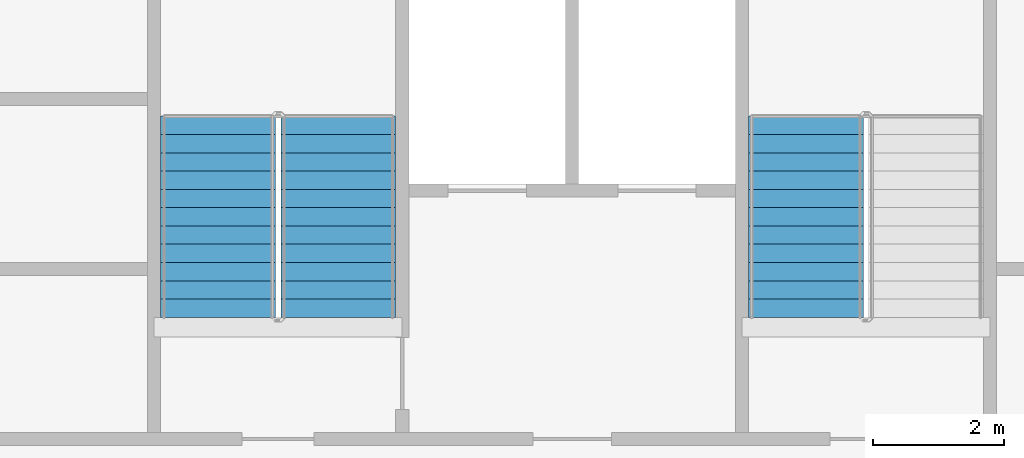
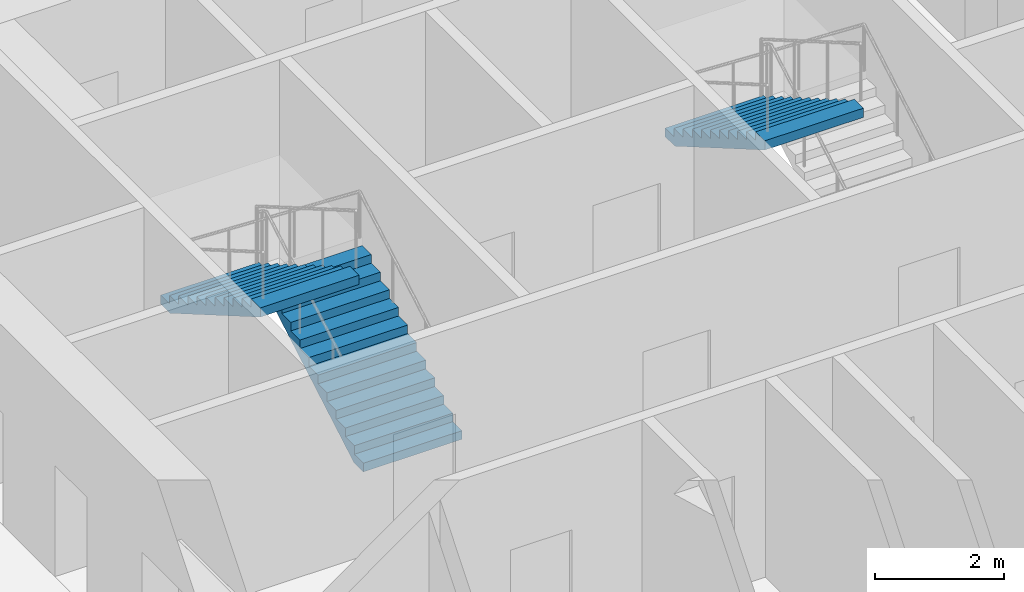
# One storey, part 9 of 15: 3 stair flights, 2 elements without a shape of their own.
"""IFC4 building model written with IfcOpenShell, lengths in metres."""

from ifc_helpers import new_model, si_unit, direction, frame, origin, place, context, subcontext, project, spatial, faceted_brep, material, type_object, element, aggregate, save


model = new_model("IFC4")

# Units and contexts
model_context = context("Model", 3, precision=1e-05, world=origin(), true_north=direction((0.0, 1.0)))
body_context = subcontext(model_context, "Body", "Model", "MODEL_VIEW")
ifc_project = project(units=[si_unit("LENGTHUNIT", "METRE"), si_unit("AREAUNIT", "SQUARE_METRE"), si_unit("VOLUMEUNIT", "CUBIC_METRE"), si_unit("PLANEANGLEUNIT", "RADIAN"), si_unit("MASSUNIT", "GRAM", prefix="KILO")], contexts=[model_context])

# Site, building, storey
site_placement = place(None, origin())
site = spatial("IfcSite", under=ifc_project, at=site_placement, CompositionType="ELEMENT")
building_placement = place(site_placement, origin())
building = spatial("IfcBuilding", under=site, at=building_placement, Name="Tarsis Ring Headquarters", CompositionType="ELEMENT")
storey_placement = place(building_placement, frame((0.0, 0.0, 151.5)))
storey = spatial("IfcBuildingStorey", under=building, at=storey_placement, Name="L34", CompositionType="ELEMENT", Elevation=151.5)

# Stair, stair flights
ifc_material_1 = material(Name="Core stair 1760")
stair_type = type_object("IfcStairType", Name="Core stair 1760", PredefinedType="HALF_TURN_STAIR", material=ifc_material_1)
stair_1_placement = place(storey_placement, origin())
stair_1 = element("IfcStair", 1, at=stair_1_placement, inside=storey, type_object=stair_type, Name="L34 Firefighting stair", PredefinedType="HALF_TURN_STAIR")
ifc_material_2 = material(Name="Concrete C40/50", Category="concrete")
stair_flight_type = type_object("IfcStairFlightType", Name="Core stair flight 1760", PredefinedType="STRAIGHT", material=ifc_material_2)
stair_flight_1_placement = place(storey_placement, frame((-3.580078125, 3.659912109375, 0.0), z_axis=(0.0, 0.0, 1.0), x_axis=(0.0, 1.0, 0.0)))
stair_flight_1 = element("IfcStairFlight", 2, at=stair_flight_1_placement, type_object=stair_flight_type, Name="Stair ST1 flight 1", NumberOfRisers=12, NumberOfTreads=11, PredefinedType="STRAIGHT", RiserHeight=0.1625, TreadLength=0.28, context=body_context, shape_type="Brep", body=[
    faceted_brep([(0.0, 0.8798828125, 0.0), (0.0, 0.8798828125, 0.16259765625), (0.280029296875, 0.8798828125, 0.16259765625), (0.280029296875, 0.8798828125, 0.324951171875), (0.56005859375, 0.8798828125, 0.324951171875), (0.56005859375, 0.8798828125, 0.487548828125), (0.840087890625, 0.8798828125, 0.487548828125), (0.840087890625, 0.8798828125, 0.64990234375), (1.1201171875, 0.8798828125, 0.64990234375), (1.1201171875, 0.8798828125, 0.8125), (1.39990234375, 0.8798828125, 0.8125), (1.39990234375, 0.8798828125, 0.97509765625), (1.679931640625, 0.8798828125, 0.97509765625), (1.679931640625, 0.8798828125, 1.137451171875), (1.9599609375, 0.8798828125, 1.137451171875), (1.9599609375, 0.8798828125, 1.300048828125), (2.239990234375, 0.8798828125, 1.300048828125), (2.239990234375, 0.8798828125, 1.46240234375), (2.52001953125, 0.8798828125, 1.46240234375), (2.52001953125, 0.8798828125, 1.625), (2.800048828125, 0.8798828125, 1.625), (2.800048828125, 0.8798828125, 1.78759765625), (3.080078125, 0.8798828125, 1.78759765625), (3.080078125, 0.8798828125, 1.6142578125), (0.298583984375, 0.8798828125, 0.0), (0.298583984375, -0.8798828125, 0.0), (3.080078125, -0.8798828125, 1.6142578125), (3.080078125, -0.8798828125, 1.78759765625), (2.800048828125, -0.8798828125, 1.78759765625), (2.800048828125, -0.8798828125, 1.625), (2.52001953125, -0.8798828125, 1.625), (2.52001953125, -0.8798828125, 1.46240234375), (2.239990234375, -0.8798828125, 1.46240234375), (2.239990234375, -0.8798828125, 1.300048828125), (1.9599609375, -0.8798828125, 1.300048828125), (1.9599609375, -0.8798828125, 1.137451171875), (1.679931640625, -0.8798828125, 1.137451171875), (1.679931640625, -0.8798828125, 0.97509765625), (1.39990234375, -0.8798828125, 0.97509765625), (1.39990234375, -0.8798828125, 0.8125), (1.1201171875, -0.8798828125, 0.8125), (1.1201171875, -0.8798828125, 0.64990234375), (0.840087890625, -0.8798828125, 0.64990234375), (0.840087890625, -0.8798828125, 0.487548828125), (0.56005859375, -0.8798828125, 0.487548828125), (0.56005859375, -0.8798828125, 0.324951171875), (0.280029296875, -0.8798828125, 0.324951171875), (0.280029296875, -0.8798828125, 0.16259765625), (0.0, -0.8798828125, 0.16259765625), (0.0, -0.8798828125, 0.0), (0.0, -0.43994140625, 0.16259765625), (0.0, -0.43994140625, 0.0), (0.0, 0.0, 0.16259765625), (0.0, 0.0, 0.0), (0.0, 0.43994140625, 0.16259765625), (0.0, 0.43994140625, 0.0), (0.280029296875, -0.43994140625, 0.16259765625), (0.280029296875, 0.0, 0.16259765625), (0.280029296875, 0.43994140625, 0.16259765625), (0.280029296875, -0.43994140625, 0.324951171875), (0.280029296875, 0.0, 0.324951171875), (0.280029296875, 0.43994140625, 0.324951171875), (0.56005859375, -0.43994140625, 0.324951171875), (0.56005859375, 0.0, 0.324951171875), (0.56005859375, 0.43994140625, 0.324951171875), (0.56005859375, -0.43994140625, 0.487548828125), (0.56005859375, 0.0, 0.487548828125), (0.56005859375, 0.43994140625, 0.487548828125), (0.840087890625, -0.43994140625, 0.487548828125), (0.840087890625, 0.0, 0.487548828125), (0.840087890625, 0.43994140625, 0.487548828125), (0.840087890625, -0.43994140625, 0.64990234375), (0.840087890625, 0.0, 0.64990234375), (0.840087890625, 0.43994140625, 0.64990234375), (1.1201171875, -0.43994140625, 0.64990234375), (1.1201171875, 0.0, 0.64990234375), (1.1201171875, 0.43994140625, 0.64990234375), (1.1201171875, -0.43994140625, 0.8125), (1.1201171875, 0.0, 0.8125), (1.1201171875, 0.43994140625, 0.8125), (1.39990234375, -0.43994140625, 0.8125), (1.39990234375, 0.0, 0.8125), (1.39990234375, 0.43994140625, 0.8125), (1.39990234375, -0.43994140625, 0.97509765625), (1.39990234375, 0.0, 0.97509765625), (1.39990234375, 0.43994140625, 0.97509765625), (1.679931640625, -0.43994140625, 0.97509765625), (1.679931640625, 0.0, 0.97509765625), (1.679931640625, 0.43994140625, 0.97509765625), (1.679931640625, -0.43994140625, 1.137451171875), (1.679931640625, 0.0, 1.137451171875), (1.679931640625, 0.43994140625, 1.137451171875), (1.9599609375, -0.43994140625, 1.137451171875), (1.9599609375, 0.0, 1.137451171875), (1.9599609375, 0.43994140625, 1.137451171875), (1.9599609375, -0.43994140625, 1.300048828125), (1.9599609375, 0.0, 1.300048828125), (1.9599609375, 0.43994140625, 1.300048828125), (2.239990234375, -0.43994140625, 1.300048828125), (2.239990234375, 0.0, 1.300048828125), (2.239990234375, 0.43994140625, 1.300048828125), (2.239990234375, -0.43994140625, 1.46240234375), (2.239990234375, 0.0, 1.46240234375), (2.239990234375, 0.43994140625, 1.46240234375), (2.52001953125, -0.43994140625, 1.46240234375), (2.52001953125, 0.0, 1.46240234375), (2.52001953125, 0.43994140625, 1.46240234375), (2.52001953125, -0.43994140625, 1.625), (2.52001953125, 0.0, 1.625), (2.52001953125, 0.43994140625, 1.625), (2.800048828125, -0.43994140625, 1.625), (2.800048828125, 0.0, 1.625), (2.800048828125, 0.43994140625, 1.625), (2.800048828125, -0.43994140625, 1.78759765625), (2.800048828125, 0.0, 1.78759765625), (2.800048828125, 0.43994140625, 1.78759765625), (3.080078125, -0.43994140625, 1.78759765625), (3.080078125, 0.0, 1.78759765625), (3.080078125, 0.43994140625, 1.78759765625), (3.080078125, -0.43994140625, 1.6142578125), (3.080078125, 0.0, 1.6142578125), (3.080078125, 0.43994140625, 1.6142578125), (0.298583984375, -0.43994140625, 0.0), (0.298583984375, 0.0, 0.0), (0.298583984375, 0.43994140625, 0.0)], [[[0, 1, 2, 3, 4, 5, 6, 7, 8, 9, 10, 11, 12, 13, 14, 15, 16, 17, 18, 19, 20, 21, 22, 23, 24]], [[25, 26, 27, 28, 29, 30, 31, 32, 33, 34, 35, 36, 37, 38, 39, 40, 41, 42, 43, 44, 45, 46, 47, 48, 49]], [[49, 48, 50, 51]], [[51, 50, 52, 53]], [[53, 52, 54, 55]], [[55, 54, 1, 0]], [[48, 47, 56, 50]], [[50, 56, 57, 52]], [[52, 57, 58, 54]], [[54, 58, 2, 1]], [[47, 46, 59, 56]], [[56, 59, 60, 57]], [[57, 60, 61, 58]], [[58, 61, 3, 2]], [[46, 45, 62, 59]], [[59, 62, 63, 60]], [[60, 63, 64, 61]], [[61, 64, 4, 3]], [[45, 44, 65, 62]], [[62, 65, 66, 63]], [[63, 66, 67, 64]], [[64, 67, 5, 4]], [[44, 43, 68, 65]], [[65, 68, 69, 66]], [[66, 69, 70, 67]], [[67, 70, 6, 5]], [[43, 42, 71, 68]], [[68, 71, 72, 69]], [[69, 72, 73, 70]], [[70, 73, 7, 6]], [[42, 41, 74, 71]], [[71, 74, 75, 72]], [[72, 75, 76, 73]], [[73, 76, 8, 7]], [[41, 40, 77, 74]], [[74, 77, 78, 75]], [[75, 78, 79, 76]], [[76, 79, 9, 8]], [[40, 39, 80, 77]], [[77, 80, 81, 78]], [[78, 81, 82, 79]], [[79, 82, 10, 9]], [[39, 38, 83, 80]], [[80, 83, 84, 81]], [[81, 84, 85, 82]], [[82, 85, 11, 10]], [[38, 37, 86, 83]], [[83, 86, 87, 84]], [[84, 87, 88, 85]], [[85, 88, 12, 11]], [[37, 36, 89, 86]], [[86, 89, 90, 87]], [[87, 90, 91, 88]], [[88, 91, 13, 12]], [[36, 35, 92, 89]], [[89, 92, 93, 90]], [[90, 93, 94, 91]], [[91, 94, 14, 13]], [[35, 34, 95, 92]], [[92, 95, 96, 93]], [[93, 96, 97, 94]], [[94, 97, 15, 14]], [[34, 33, 98, 95]], [[95, 98, 99, 96]], [[96, 99, 100, 97]], [[97, 100, 16, 15]], [[33, 32, 101, 98]], [[98, 101, 102, 99]], [[99, 102, 103, 100]], [[100, 103, 17, 16]], [[32, 31, 104, 101]], [[101, 104, 105, 102]], [[102, 105, 106, 103]], [[103, 106, 18, 17]], [[31, 30, 107, 104]], [[104, 107, 108, 105]], [[105, 108, 109, 106]], [[106, 109, 19, 18]], [[30, 29, 110, 107]], [[107, 110, 111, 108]], [[108, 111, 112, 109]], [[109, 112, 20, 19]], [[29, 28, 113, 110]], [[110, 113, 114, 111]], [[111, 114, 115, 112]], [[112, 115, 21, 20]], [[28, 27, 116, 113]], [[113, 116, 117, 114]], [[114, 117, 118, 115]], [[115, 118, 22, 21]], [[27, 26, 119, 116]], [[116, 119, 120, 117]], [[117, 120, 121, 118]], [[118, 121, 23, 22]], [[26, 25, 122, 119]], [[119, 122, 123, 120]], [[120, 123, 124, 121]], [[121, 124, 24, 23]], [[25, 49, 51, 122]], [[122, 51, 53, 123]], [[123, 53, 55, 124]], [[124, 55, 0, 24]]]),
])
stair_flight_2_placement = place(storey_placement, frame((-5.419921875, 6.739990234375, 1.949951171875), z_axis=(0.0, 0.0, 1.0), x_axis=(0.0, -1.0, 0.0)))
stair_flight_2 = element("IfcStairFlight", 3, at=stair_flight_2_placement, type_object=stair_flight_type, Name="Stair ST1 flight 2", NumberOfRisers=12, NumberOfTreads=11, PredefinedType="STRAIGHT", RiserHeight=0.1625, TreadLength=0.28, context=body_context, shape_type="Brep", body=[
    faceted_brep([(0.0, 0.8798828125, 0.0), (0.0, 0.8798828125, 0.16259765625), (0.280029296875, 0.8798828125, 0.16259765625), (0.280029296875, 0.8798828125, 0.324951171875), (0.56005859375, 0.8798828125, 0.324951171875), (0.56005859375, 0.8798828125, 0.487548828125), (0.840087890625, 0.8798828125, 0.487548828125), (0.840087890625, 0.8798828125, 0.64990234375), (1.1201171875, 0.8798828125, 0.64990234375), (1.1201171875, 0.8798828125, 0.8125), (1.39990234375, 0.8798828125, 0.8125), (1.39990234375, 0.8798828125, 0.97509765625), (1.679931640625, 0.8798828125, 0.97509765625), (1.679931640625, 0.8798828125, 1.137451171875), (1.9599609375, 0.8798828125, 1.137451171875), (1.9599609375, 0.8798828125, 1.300048828125), (2.239990234375, 0.8798828125, 1.300048828125), (2.239990234375, 0.8798828125, 1.46240234375), (2.52001953125, 0.8798828125, 1.46240234375), (2.52001953125, 0.8798828125, 1.625), (2.800048828125, 0.8798828125, 1.625), (2.800048828125, 0.8798828125, 1.78759765625), (3.080078125, 0.8798828125, 1.78759765625), (3.080078125, 0.8798828125, 1.6142578125), (0.298583984375, 0.8798828125, 0.0), (0.298583984375, -0.8798828125, 0.0), (3.080078125, -0.8798828125, 1.6142578125), (3.080078125, -0.8798828125, 1.78759765625), (2.800048828125, -0.8798828125, 1.78759765625), (2.800048828125, -0.8798828125, 1.625), (2.52001953125, -0.8798828125, 1.625), (2.52001953125, -0.8798828125, 1.46240234375), (2.239990234375, -0.8798828125, 1.46240234375), (2.239990234375, -0.8798828125, 1.300048828125), (1.9599609375, -0.8798828125, 1.300048828125), (1.9599609375, -0.8798828125, 1.137451171875), (1.679931640625, -0.8798828125, 1.137451171875), (1.679931640625, -0.8798828125, 0.97509765625), (1.39990234375, -0.8798828125, 0.97509765625), (1.39990234375, -0.8798828125, 0.8125), (1.1201171875, -0.8798828125, 0.8125), (1.1201171875, -0.8798828125, 0.64990234375), (0.840087890625, -0.8798828125, 0.64990234375), (0.840087890625, -0.8798828125, 0.487548828125), (0.56005859375, -0.8798828125, 0.487548828125), (0.56005859375, -0.8798828125, 0.324951171875), (0.280029296875, -0.8798828125, 0.324951171875), (0.280029296875, -0.8798828125, 0.16259765625), (0.0, -0.8798828125, 0.16259765625), (0.0, -0.8798828125, 0.0), (0.0, -0.43994140625, 0.16259765625), (0.0, -0.43994140625, 0.0), (0.0, 0.0, 0.16259765625), (0.0, 0.0, 0.0), (0.0, 0.43994140625, 0.16259765625), (0.0, 0.43994140625, 0.0), (0.280029296875, -0.43994140625, 0.16259765625), (0.280029296875, 0.0, 0.16259765625), (0.280029296875, 0.43994140625, 0.16259765625), (0.280029296875, -0.43994140625, 0.324951171875), (0.280029296875, 0.0, 0.324951171875), (0.280029296875, 0.43994140625, 0.324951171875), (0.56005859375, -0.43994140625, 0.324951171875), (0.56005859375, 0.0, 0.324951171875), (0.56005859375, 0.43994140625, 0.324951171875), (0.56005859375, -0.43994140625, 0.487548828125), (0.56005859375, 0.0, 0.487548828125), (0.56005859375, 0.43994140625, 0.487548828125), (0.840087890625, -0.43994140625, 0.487548828125), (0.840087890625, 0.0, 0.487548828125), (0.840087890625, 0.43994140625, 0.487548828125), (0.840087890625, -0.43994140625, 0.64990234375), (0.840087890625, 0.0, 0.64990234375), (0.840087890625, 0.43994140625, 0.64990234375), (1.1201171875, -0.43994140625, 0.64990234375), (1.1201171875, 0.0, 0.64990234375), (1.1201171875, 0.43994140625, 0.64990234375), (1.1201171875, -0.43994140625, 0.8125), (1.1201171875, 0.0, 0.8125), (1.1201171875, 0.43994140625, 0.8125), (1.39990234375, -0.43994140625, 0.8125), (1.39990234375, 0.0, 0.8125), (1.39990234375, 0.43994140625, 0.8125), (1.39990234375, -0.43994140625, 0.97509765625), (1.39990234375, 0.0, 0.97509765625), (1.39990234375, 0.43994140625, 0.97509765625), (1.679931640625, -0.43994140625, 0.97509765625), (1.679931640625, 0.0, 0.97509765625), (1.679931640625, 0.43994140625, 0.97509765625), (1.679931640625, -0.43994140625, 1.137451171875), (1.679931640625, 0.0, 1.137451171875), (1.679931640625, 0.43994140625, 1.137451171875), (1.9599609375, -0.43994140625, 1.137451171875), (1.9599609375, 0.0, 1.137451171875), (1.9599609375, 0.43994140625, 1.137451171875), (1.9599609375, -0.43994140625, 1.300048828125), (1.9599609375, 0.0, 1.300048828125), (1.9599609375, 0.43994140625, 1.300048828125), (2.239990234375, -0.43994140625, 1.300048828125), (2.239990234375, 0.0, 1.300048828125), (2.239990234375, 0.43994140625, 1.300048828125), (2.239990234375, -0.43994140625, 1.46240234375), (2.239990234375, 0.0, 1.46240234375), (2.239990234375, 0.43994140625, 1.46240234375), (2.52001953125, -0.43994140625, 1.46240234375), (2.52001953125, 0.0, 1.46240234375), (2.52001953125, 0.43994140625, 1.46240234375), (2.52001953125, -0.43994140625, 1.625), (2.52001953125, 0.0, 1.625), (2.52001953125, 0.43994140625, 1.625), (2.800048828125, -0.43994140625, 1.625), (2.800048828125, 0.0, 1.625), (2.800048828125, 0.43994140625, 1.625), (2.800048828125, -0.43994140625, 1.78759765625), (2.800048828125, 0.0, 1.78759765625), (2.800048828125, 0.43994140625, 1.78759765625), (3.080078125, -0.43994140625, 1.78759765625), (3.080078125, 0.0, 1.78759765625), (3.080078125, 0.43994140625, 1.78759765625), (3.080078125, -0.43994140625, 1.6142578125), (3.080078125, 0.0, 1.6142578125), (3.080078125, 0.43994140625, 1.6142578125), (0.298583984375, -0.43994140625, 0.0), (0.298583984375, 0.0, 0.0), (0.298583984375, 0.43994140625, 0.0)], [[[0, 1, 2, 3, 4, 5, 6, 7, 8, 9, 10, 11, 12, 13, 14, 15, 16, 17, 18, 19, 20, 21, 22, 23, 24]], [[25, 26, 27, 28, 29, 30, 31, 32, 33, 34, 35, 36, 37, 38, 39, 40, 41, 42, 43, 44, 45, 46, 47, 48, 49]], [[49, 48, 50, 51]], [[51, 50, 52, 53]], [[53, 52, 54, 55]], [[55, 54, 1, 0]], [[48, 47, 56, 50]], [[50, 56, 57, 52]], [[52, 57, 58, 54]], [[54, 58, 2, 1]], [[47, 46, 59, 56]], [[56, 59, 60, 57]], [[57, 60, 61, 58]], [[58, 61, 3, 2]], [[46, 45, 62, 59]], [[59, 62, 63, 60]], [[60, 63, 64, 61]], [[61, 64, 4, 3]], [[45, 44, 65, 62]], [[62, 65, 66, 63]], [[63, 66, 67, 64]], [[64, 67, 5, 4]], [[44, 43, 68, 65]], [[65, 68, 69, 66]], [[66, 69, 70, 67]], [[67, 70, 6, 5]], [[43, 42, 71, 68]], [[68, 71, 72, 69]], [[69, 72, 73, 70]], [[70, 73, 7, 6]], [[42, 41, 74, 71]], [[71, 74, 75, 72]], [[72, 75, 76, 73]], [[73, 76, 8, 7]], [[41, 40, 77, 74]], [[74, 77, 78, 75]], [[75, 78, 79, 76]], [[76, 79, 9, 8]], [[40, 39, 80, 77]], [[77, 80, 81, 78]], [[78, 81, 82, 79]], [[79, 82, 10, 9]], [[39, 38, 83, 80]], [[80, 83, 84, 81]], [[81, 84, 85, 82]], [[82, 85, 11, 10]], [[38, 37, 86, 83]], [[83, 86, 87, 84]], [[84, 87, 88, 85]], [[85, 88, 12, 11]], [[37, 36, 89, 86]], [[86, 89, 90, 87]], [[87, 90, 91, 88]], [[88, 91, 13, 12]], [[36, 35, 92, 89]], [[89, 92, 93, 90]], [[90, 93, 94, 91]], [[91, 94, 14, 13]], [[35, 34, 95, 92]], [[92, 95, 96, 93]], [[93, 96, 97, 94]], [[94, 97, 15, 14]], [[34, 33, 98, 95]], [[95, 98, 99, 96]], [[96, 99, 100, 97]], [[97, 100, 16, 15]], [[33, 32, 101, 98]], [[98, 101, 102, 99]], [[99, 102, 103, 100]], [[100, 103, 17, 16]], [[32, 31, 104, 101]], [[101, 104, 105, 102]], [[102, 105, 106, 103]], [[103, 106, 18, 17]], [[31, 30, 107, 104]], [[104, 107, 108, 105]], [[105, 108, 109, 106]], [[106, 109, 19, 18]], [[30, 29, 110, 107]], [[107, 110, 111, 108]], [[108, 111, 112, 109]], [[109, 112, 20, 19]], [[29, 28, 113, 110]], [[110, 113, 114, 111]], [[111, 114, 115, 112]], [[112, 115, 21, 20]], [[28, 27, 116, 113]], [[113, 116, 117, 114]], [[114, 117, 118, 115]], [[115, 118, 22, 21]], [[27, 26, 119, 116]], [[116, 119, 120, 117]], [[117, 120, 121, 118]], [[118, 121, 23, 22]], [[26, 25, 122, 119]], [[119, 122, 123, 120]], [[120, 123, 124, 121]], [[121, 124, 24, 23]], [[25, 49, 51, 122]], [[122, 51, 53, 123]], [[123, 53, 55, 124]], [[124, 55, 0, 24]]]),
])
aggregate(stair_1, [stair_flight_1, stair_flight_2])

# Stair, stair flight
stair_2_placement = place(storey_placement, origin())
stair_2 = element("IfcStair", 4, at=stair_2_placement, inside=storey, type_object=stair_type, Name="L34 Exit stair B", PredefinedType="HALF_TURN_STAIR")
stair_flight_3_placement = place(storey_placement, frame((3.580078125, 6.739990234375, 1.949951171875), z_axis=(0.0, 0.0, 1.0), x_axis=(0.0, -1.0, 0.0)))
stair_flight_3 = element("IfcStairFlight", 5, at=stair_flight_3_placement, type_object=stair_flight_type, Name="Stair ST2 flight 2", NumberOfRisers=12, NumberOfTreads=11, PredefinedType="STRAIGHT", RiserHeight=0.1625, TreadLength=0.28, context=body_context, shape_type="Brep", body=[
    faceted_brep([(0.0, 0.8798828125, 0.0), (0.0, 0.8798828125, 0.16259765625), (0.280029296875, 0.8798828125, 0.16259765625), (0.280029296875, 0.8798828125, 0.324951171875), (0.56005859375, 0.8798828125, 0.324951171875), (0.56005859375, 0.8798828125, 0.487548828125), (0.840087890625, 0.8798828125, 0.487548828125), (0.840087890625, 0.8798828125, 0.64990234375), (1.1201171875, 0.8798828125, 0.64990234375), (1.1201171875, 0.8798828125, 0.8125), (1.39990234375, 0.8798828125, 0.8125), (1.39990234375, 0.8798828125, 0.97509765625), (1.679931640625, 0.8798828125, 0.97509765625), (1.679931640625, 0.8798828125, 1.137451171875), (1.9599609375, 0.8798828125, 1.137451171875), (1.9599609375, 0.8798828125, 1.300048828125), (2.239990234375, 0.8798828125, 1.300048828125), (2.239990234375, 0.8798828125, 1.46240234375), (2.52001953125, 0.8798828125, 1.46240234375), (2.52001953125, 0.8798828125, 1.625), (2.800048828125, 0.8798828125, 1.625), (2.800048828125, 0.8798828125, 1.78759765625), (3.080078125, 0.8798828125, 1.78759765625), (3.080078125, 0.8798828125, 1.6142578125), (0.298583984375, 0.8798828125, 0.0), (0.298583984375, -0.8798828125, 0.0), (3.080078125, -0.8798828125, 1.6142578125), (3.080078125, -0.8798828125, 1.78759765625), (2.800048828125, -0.8798828125, 1.78759765625), (2.800048828125, -0.8798828125, 1.625), (2.52001953125, -0.8798828125, 1.625), (2.52001953125, -0.8798828125, 1.46240234375), (2.239990234375, -0.8798828125, 1.46240234375), (2.239990234375, -0.8798828125, 1.300048828125), (1.9599609375, -0.8798828125, 1.300048828125), (1.9599609375, -0.8798828125, 1.137451171875), (1.679931640625, -0.8798828125, 1.137451171875), (1.679931640625, -0.8798828125, 0.97509765625), (1.39990234375, -0.8798828125, 0.97509765625), (1.39990234375, -0.8798828125, 0.8125), (1.1201171875, -0.8798828125, 0.8125), (1.1201171875, -0.8798828125, 0.64990234375), (0.840087890625, -0.8798828125, 0.64990234375), (0.840087890625, -0.8798828125, 0.487548828125), (0.56005859375, -0.8798828125, 0.487548828125), (0.56005859375, -0.8798828125, 0.324951171875), (0.280029296875, -0.8798828125, 0.324951171875), (0.280029296875, -0.8798828125, 0.16259765625), (0.0, -0.8798828125, 0.16259765625), (0.0, -0.8798828125, 0.0), (0.0, -0.43994140625, 0.16259765625), (0.0, -0.43994140625, 0.0), (0.0, 0.0, 0.16259765625), (0.0, 0.0, 0.0), (0.0, 0.43994140625, 0.16259765625), (0.0, 0.43994140625, 0.0), (0.280029296875, -0.43994140625, 0.16259765625), (0.280029296875, 0.0, 0.16259765625), (0.280029296875, 0.43994140625, 0.16259765625), (0.280029296875, -0.43994140625, 0.324951171875), (0.280029296875, 0.0, 0.324951171875), (0.280029296875, 0.43994140625, 0.324951171875), (0.56005859375, -0.43994140625, 0.324951171875), (0.56005859375, 0.0, 0.324951171875), (0.56005859375, 0.43994140625, 0.324951171875), (0.56005859375, -0.43994140625, 0.487548828125), (0.56005859375, 0.0, 0.487548828125), (0.56005859375, 0.43994140625, 0.487548828125), (0.840087890625, -0.43994140625, 0.487548828125), (0.840087890625, 0.0, 0.487548828125), (0.840087890625, 0.43994140625, 0.487548828125), (0.840087890625, -0.43994140625, 0.64990234375), (0.840087890625, 0.0, 0.64990234375), (0.840087890625, 0.43994140625, 0.64990234375), (1.1201171875, -0.43994140625, 0.64990234375), (1.1201171875, 0.0, 0.64990234375), (1.1201171875, 0.43994140625, 0.64990234375), (1.1201171875, -0.43994140625, 0.8125), (1.1201171875, 0.0, 0.8125), (1.1201171875, 0.43994140625, 0.8125), (1.39990234375, -0.43994140625, 0.8125), (1.39990234375, 0.0, 0.8125), (1.39990234375, 0.43994140625, 0.8125), (1.39990234375, -0.43994140625, 0.97509765625), (1.39990234375, 0.0, 0.97509765625), (1.39990234375, 0.43994140625, 0.97509765625), (1.679931640625, -0.43994140625, 0.97509765625), (1.679931640625, 0.0, 0.97509765625), (1.679931640625, 0.43994140625, 0.97509765625), (1.679931640625, -0.43994140625, 1.137451171875), (1.679931640625, 0.0, 1.137451171875), (1.679931640625, 0.43994140625, 1.137451171875), (1.9599609375, -0.43994140625, 1.137451171875), (1.9599609375, 0.0, 1.137451171875), (1.9599609375, 0.43994140625, 1.137451171875), (1.9599609375, -0.43994140625, 1.300048828125), (1.9599609375, 0.0, 1.300048828125), (1.9599609375, 0.43994140625, 1.300048828125), (2.239990234375, -0.43994140625, 1.300048828125), (2.239990234375, 0.0, 1.300048828125), (2.239990234375, 0.43994140625, 1.300048828125), (2.239990234375, -0.43994140625, 1.46240234375), (2.239990234375, 0.0, 1.46240234375), (2.239990234375, 0.43994140625, 1.46240234375), (2.52001953125, -0.43994140625, 1.46240234375), (2.52001953125, 0.0, 1.46240234375), (2.52001953125, 0.43994140625, 1.46240234375), (2.52001953125, -0.43994140625, 1.625), (2.52001953125, 0.0, 1.625), (2.52001953125, 0.43994140625, 1.625), (2.800048828125, -0.43994140625, 1.625), (2.800048828125, 0.0, 1.625), (2.800048828125, 0.43994140625, 1.625), (2.800048828125, -0.43994140625, 1.78759765625), (2.800048828125, 0.0, 1.78759765625), (2.800048828125, 0.43994140625, 1.78759765625), (3.080078125, -0.43994140625, 1.78759765625), (3.080078125, 0.0, 1.78759765625), (3.080078125, 0.43994140625, 1.78759765625), (3.080078125, -0.43994140625, 1.6142578125), (3.080078125, 0.0, 1.6142578125), (3.080078125, 0.43994140625, 1.6142578125), (0.298583984375, -0.43994140625, 0.0), (0.298583984375, 0.0, 0.0), (0.298583984375, 0.43994140625, 0.0)], [[[0, 1, 2, 3, 4, 5, 6, 7, 8, 9, 10, 11, 12, 13, 14, 15, 16, 17, 18, 19, 20, 21, 22, 23, 24]], [[25, 26, 27, 28, 29, 30, 31, 32, 33, 34, 35, 36, 37, 38, 39, 40, 41, 42, 43, 44, 45, 46, 47, 48, 49]], [[49, 48, 50, 51]], [[51, 50, 52, 53]], [[53, 52, 54, 55]], [[55, 54, 1, 0]], [[48, 47, 56, 50]], [[50, 56, 57, 52]], [[52, 57, 58, 54]], [[54, 58, 2, 1]], [[47, 46, 59, 56]], [[56, 59, 60, 57]], [[57, 60, 61, 58]], [[58, 61, 3, 2]], [[46, 45, 62, 59]], [[59, 62, 63, 60]], [[60, 63, 64, 61]], [[61, 64, 4, 3]], [[45, 44, 65, 62]], [[62, 65, 66, 63]], [[63, 66, 67, 64]], [[64, 67, 5, 4]], [[44, 43, 68, 65]], [[65, 68, 69, 66]], [[66, 69, 70, 67]], [[67, 70, 6, 5]], [[43, 42, 71, 68]], [[68, 71, 72, 69]], [[69, 72, 73, 70]], [[70, 73, 7, 6]], [[42, 41, 74, 71]], [[71, 74, 75, 72]], [[72, 75, 76, 73]], [[73, 76, 8, 7]], [[41, 40, 77, 74]], [[74, 77, 78, 75]], [[75, 78, 79, 76]], [[76, 79, 9, 8]], [[40, 39, 80, 77]], [[77, 80, 81, 78]], [[78, 81, 82, 79]], [[79, 82, 10, 9]], [[39, 38, 83, 80]], [[80, 83, 84, 81]], [[81, 84, 85, 82]], [[82, 85, 11, 10]], [[38, 37, 86, 83]], [[83, 86, 87, 84]], [[84, 87, 88, 85]], [[85, 88, 12, 11]], [[37, 36, 89, 86]], [[86, 89, 90, 87]], [[87, 90, 91, 88]], [[88, 91, 13, 12]], [[36, 35, 92, 89]], [[89, 92, 93, 90]], [[90, 93, 94, 91]], [[91, 94, 14, 13]], [[35, 34, 95, 92]], [[92, 95, 96, 93]], [[93, 96, 97, 94]], [[94, 97, 15, 14]], [[34, 33, 98, 95]], [[95, 98, 99, 96]], [[96, 99, 100, 97]], [[97, 100, 16, 15]], [[33, 32, 101, 98]], [[98, 101, 102, 99]], [[99, 102, 103, 100]], [[100, 103, 17, 16]], [[32, 31, 104, 101]], [[101, 104, 105, 102]], [[102, 105, 106, 103]], [[103, 106, 18, 17]], [[31, 30, 107, 104]], [[104, 107, 108, 105]], [[105, 108, 109, 106]], [[106, 109, 19, 18]], [[30, 29, 110, 107]], [[107, 110, 111, 108]], [[108, 111, 112, 109]], [[109, 112, 20, 19]], [[29, 28, 113, 110]], [[110, 113, 114, 111]], [[111, 114, 115, 112]], [[112, 115, 21, 20]], [[28, 27, 116, 113]], [[113, 116, 117, 114]], [[114, 117, 118, 115]], [[115, 118, 22, 21]], [[27, 26, 119, 116]], [[116, 119, 120, 117]], [[117, 120, 121, 118]], [[118, 121, 23, 22]], [[26, 25, 122, 119]], [[119, 122, 123, 120]], [[120, 123, 124, 121]], [[121, 124, 24, 23]], [[25, 49, 51, 122]], [[122, 51, 53, 123]], [[123, 53, 55, 124]], [[124, 55, 0, 24]]]),
])
aggregate(stair_2, [stair_flight_3])

save(model, "model.ifc")
